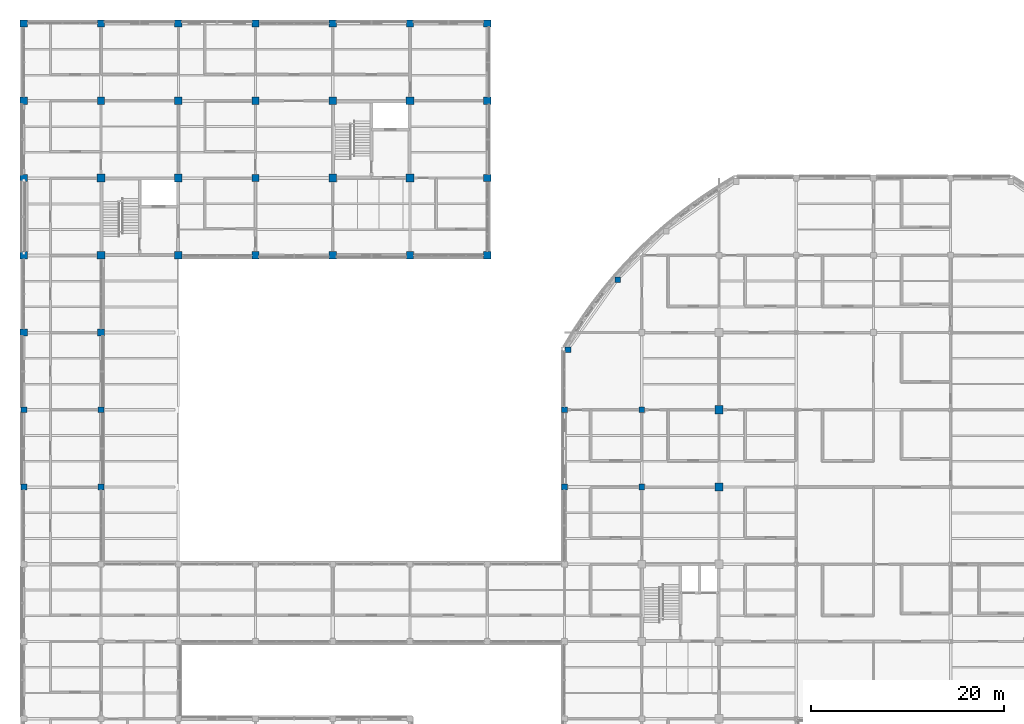
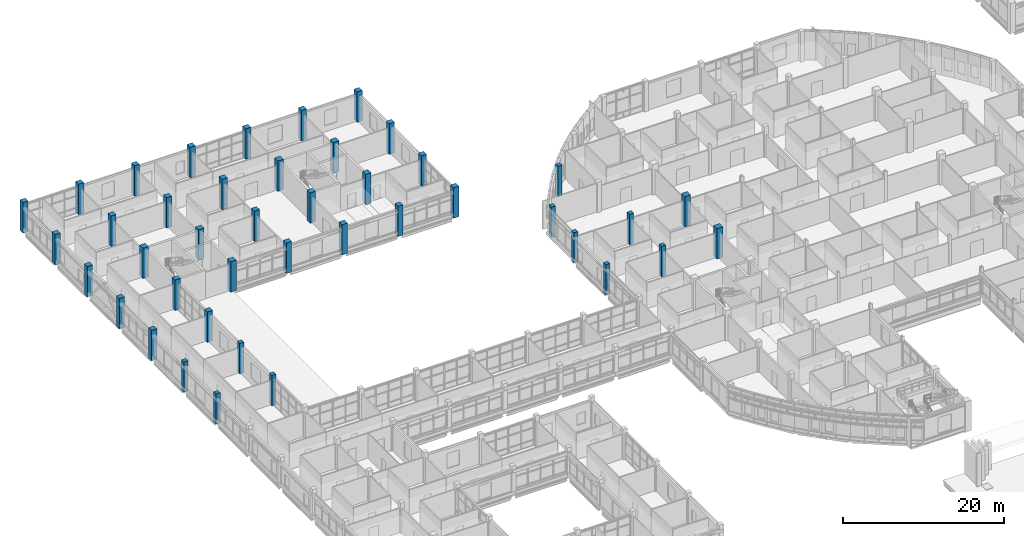
# One storey, part 5 of 121: 42 columns.
"""IFC4 building model written with IfcOpenShell, lengths in metres."""

from ifc_helpers import new_model, si_unit, derived_unit, direction, frame, origin, origin_2d, place, context, subcontext, project, spatial, rectangle, extrude, material, material_profile, profile_set, type_object, element, save


model = new_model("IFC4")

# Units and contexts
model_context = context("Model", 3, precision=1e-05, world=origin(), true_north=direction((0.0, 1.0)))
body_context = subcontext(model_context, "Body", "Model", "MODEL_VIEW")
ifc_project = project(units=[si_unit("LENGTHUNIT", "METRE"), si_unit("AREAUNIT", "SQUARE_METRE"), si_unit("VOLUMEUNIT", "CUBIC_METRE"), si_unit("PLANEANGLEUNIT", "RADIAN"), si_unit("MASSUNIT", "GRAM", prefix="KILO"), derived_unit("THERMALTRANSMITTANCEUNIT", [(si_unit("MASSUNIT", "GRAM", prefix="KILO"), 1), (si_unit("TIMEUNIT", "SECOND"), -3), (si_unit("THERMODYNAMICTEMPERATUREUNIT", "KELVIN"), -1)])], contexts=[model_context])

# Site, building, storey
site_placement = place(None, origin())
site = spatial("IfcSite", under=ifc_project, at=site_placement, CompositionType="ELEMENT")
building_placement = place(site_placement, origin())
building = spatial("IfcBuilding", under=site, at=building_placement, Name="Veyamyaing Civic Hall", CompositionType="ELEMENT")
storey_placement = place(building_placement, frame((0.0, 0.0, 5.280029296875)))
storey = spatial("IfcBuildingStorey", under=building, at=storey_placement, Name="L01", CompositionType="ELEMENT", Elevation=5.280029296875)

# Columns
ifc_material = material(Name="Concrete C45/55", Category="concrete")
ifc_material_profile_1 = material_profile(ifc_material, rectangle(XDim=0.85009765625, YDim=0.85009765625, at=origin_2d()), Name="RC-COL-850X850")
ifc_profile_set_1 = profile_set([ifc_material_profile_1], Name="Concrete C45/55")
column_type_1 = type_object("IfcColumnType", Name="C-01", PredefinedType="COLUMN", material=ifc_profile_set_1)
for number, where, z_axis, x_axis, name in (
    (1, (72.0, 64.0, 0.0), (0.0, 0.0, 1.0), (1.0, 0.0, 0.0), "Column C-01 10-J L01"),
    (2, (72.0, 72.0, 0.0), (0.0, 0.0, 1.0), (1.0, 0.0, 0.0), "Column C-01 10-K L01"),
):
    element("IfcColumn", number, at=place(storey_placement, frame(where, z_axis=z_axis, x_axis=x_axis)), inside=storey, type_object=column_type_1, Name=name, PredefinedType="COLUMN", context=body_context, shape_type="SweptSolid", body=[
        extrude(rectangle(XDim=0.85009765625, YDim=0.85009765625, at=origin_2d()), origin(), (0.0, 0.0, 1.0), 4.619873046875),
    ])
ifc_material_profile_2 = material_profile(ifc_material, rectangle(XDim=0.800048828125, YDim=0.800048828125, at=origin_2d()), Name="RC-COL-800X800")
ifc_profile_set_2 = profile_set([ifc_material_profile_2], Name="Concrete C45/55")
column_type_2 = type_object("IfcColumnType", Name="C-02", PredefinedType="COLUMN", material=ifc_profile_set_2)
for number, where, z_axis, x_axis, name in (
    (3, (8.0, 88.0, 0.0), (0.0, 0.0, 1.0), (1.0, 0.0, 0.0), "Column C-02 2-M L01"),
    (4, (8.0, 96.0, 0.0), (0.0, 0.0, 1.0), (1.0, 0.0, 0.0), "Column C-02 2-N L01"),
    (5, (16.0, 88.0, 0.0), (0.0, 0.0, 1.0), (1.0, 0.0, 0.0), "Column C-02 3-M L01"),
    (6, (16.0, 96.0, 0.0), (0.0, 0.0, 1.0), (1.0, 0.0, 0.0), "Column C-02 3-N L01"),
    (7, (32.0, 96.0, 0.0), (0.0, 0.0, 1.0), (1.0, 0.0, 0.0), "Column C-02 5-N L01"),
    (8, (32.0, 104.0, 0.0), (0.0, 0.0, 1.0), (1.0, 0.0, 0.0), "Column C-02 5-P L01"),
    (9, (40.0, 96.0, 0.0), (0.0, 0.0, 1.0), (1.0, 0.0, 0.0), "Column C-02 6-N L01"),
    (10, (40.0, 104.0, 0.0), (0.0, 0.0, 1.0), (1.0, 0.0, 0.0), "Column C-02 6-P L01"),
):
    element("IfcColumn", number, at=place(storey_placement, frame(where, z_axis=z_axis, x_axis=x_axis)), inside=storey, type_object=column_type_2, Name=name, PredefinedType="COLUMN", context=body_context, shape_type="SweptSolid", body=[
        extrude(rectangle(XDim=0.800048828125, YDim=0.800048828125, at=origin_2d()), origin(), (0.0, 0.0, 1.0), 4.619873046875),
    ])
ifc_material_profile_3 = material_profile(ifc_material, rectangle(XDim=0.75, YDim=0.75, at=origin_2d()), Name="RC-COL-750X750")
ifc_profile_set_3 = profile_set([ifc_material_profile_3], Name="Concrete C45/55")
column_type_3 = type_object("IfcColumnType", Name="C-03", PredefinedType="COLUMN", material=ifc_profile_set_3)
for number, where, z_axis, x_axis, name in (
    (11, (0.0, 80.0, 0.0), (0.0, 0.0, 1.0), (1.0, 0.0, 0.0), "Column C-03 1-L L01"),
    (12, (0.0, 88.0, 0.0), (0.0, 0.0, 1.0), (1.0, 0.0, 0.0), "Column C-03 1-M L01"),
    (13, (0.0, 96.0, 0.0), (0.0, 0.0, 1.0), (1.0, 0.0, 0.0), "Column C-03 1-N L01"),
    (14, (0.0, 104.0, 0.0), (0.0, 0.0, 1.0), (1.0, 0.0, 0.0), "Column C-03 1-P L01"),
    (15, (0.0, 112.0, 0.0), (0.0, 0.0, 1.0), (1.0, 0.0, 0.0), "Column C-03 1-Q L01"),
    (16, (8.0, 80.0, 0.0), (0.0, 0.0, 1.0), (1.0, 0.0, 0.0), "Column C-03 2-L L01"),
    (17, (8.0, 104.0, 0.0), (0.0, 0.0, 1.0), (1.0, 0.0, 0.0), "Column C-03 2-P L01"),
    (18, (8.0, 112.0, 0.0), (0.0, 0.0, 1.0), (1.0, 0.0, 0.0), "Column C-03 2-Q L01"),
    (19, (16.0, 104.0, 0.0), (0.0, 0.0, 1.0), (1.0, 0.0, 0.0), "Column C-03 3-P L01"),
    (20, (16.0, 112.0, 0.0), (0.0, 0.0, 1.0), (1.0, 0.0, 0.0), "Column C-03 3-Q L01"),
    (21, (24.0, 88.0, 0.0), (0.0, 0.0, 1.0), (1.0, 0.0, 0.0), "Column C-03 4-M L01"),
    (22, (24.0, 96.0, 0.0), (0.0, 0.0, 1.0), (1.0, 0.0, 0.0), "Column C-03 4-N L01"),
    (23, (24.0, 104.0, 0.0), (0.0, 0.0, 1.0), (1.0, 0.0, 0.0), "Column C-03 4-P L01"),
    (24, (24.0, 112.0, 0.0), (0.0, 0.0, 1.0), (1.0, 0.0, 0.0), "Column C-03 4-Q L01"),
    (25, (32.0, 88.0, 0.0), (0.0, 0.0, 1.0), (1.0, 0.0, 0.0), "Column C-03 5-M L01"),
    (26, (32.0, 112.0, 0.0), (0.0, 0.0, 1.0), (1.0, 0.0, 0.0), "Column C-03 5-Q L01"),
    (27, (40.0, 88.0, 0.0), (0.0, 0.0, 1.0), (1.0, 0.0, 0.0), "Column C-03 6-M L01"),
    (28, (40.0, 112.0, 0.0), (0.0, 0.0, 1.0), (1.0, 0.0, 0.0), "Column C-03 6-Q L01"),
    (29, (48.0, 88.0, 0.0), (0.0, 0.0, 1.0), (1.0, 0.0, 0.0), "Column C-03 7-M L01"),
    (30, (48.0, 96.0, 0.0), (0.0, 0.0, 1.0), (1.0, 0.0, 0.0), "Column C-03 7-N L01"),
    (31, (48.0, 104.0, 0.0), (0.0, 0.0, 1.0), (1.0, 0.0, 0.0), "Column C-03 7-P L01"),
    (32, (48.0, 112.0, 0.0), (0.0, 0.0, 1.0), (1.0, 0.0, 0.0), "Column C-03 7-Q L01"),
):
    element("IfcColumn", number, at=place(storey_placement, frame(where, z_axis=z_axis, x_axis=x_axis)), inside=storey, type_object=column_type_3, Name=name, PredefinedType="COLUMN", context=body_context, shape_type="SweptSolid", body=[
        extrude(rectangle(XDim=0.75, YDim=0.75, at=origin_2d()), origin(), (0.0, 0.0, 1.0), 4.619873046875),
    ])
ifc_material_profile_4 = material_profile(ifc_material, rectangle(XDim=0.60009765625, YDim=0.60009765625, at=origin_2d()), Name="RC-COL-600X600")
ifc_profile_set_4 = profile_set([ifc_material_profile_4], Name="Concrete C45/55")
column_type_4 = type_object("IfcColumnType", Name="C-06", PredefinedType="COLUMN", material=ifc_profile_set_4)
for number, where, z_axis, x_axis, name in (
    (33, (0.0, 64.0, 0.0), (0.0, 0.0, 1.0), (1.0, 0.0, 0.0), "Column C-06 1-J L01"),
    (34, (0.0, 72.0, 0.0), (0.0, 0.0, 1.0), (1.0, 0.0, 0.0), "Column C-06 1-K L01"),
    (35, (8.0, 64.0, 0.0), (0.0, 0.0, 1.0), (1.0, 0.0, 0.0), "Column C-06 2-J L01"),
    (36, (8.0, 72.0, 0.0), (0.0, 0.0, 1.0), (1.0, 0.0, 0.0), "Column C-06 2-K L01"),
    (37, (56.0, 64.0, 0.0), (0.0, 0.0, 1.0), (1.0, 0.0, 0.0), "Column C-06 8-J L01"),
    (38, (56.0, 72.0, 0.0), (0.0, 0.0, 1.0), (1.0, 0.0, 0.0), "Column C-06 8-K L01"),
    (39, (64.0, 64.0, 0.0), (0.0, 0.0, 1.0), (1.0, 0.0, 0.0), "Column C-06 9-J L01"),
    (40, (64.0, 72.0, 0.0), (0.0, 0.0, 1.0), (1.0, 0.0, 0.0), "Column C-06 9-K L01"),
    (41, (61.5048828125, 85.466552734375, 0.0), (0.0, 0.0, 1.0), (1.0, 0.0, 0.0), "Curved corner column C-06 ARC-NW-09 L01"),
    (42, (56.36376953125, 78.220703125, 0.0), (0.0, 0.0, 1.0), (1.0, 0.0, 0.0), "Curved corner column C-06 ARC-NW-14 L01"),
):
    element("IfcColumn", number, at=place(storey_placement, frame(where, z_axis=z_axis, x_axis=x_axis)), inside=storey, type_object=column_type_4, Name=name, PredefinedType="COLUMN", context=body_context, shape_type="SweptSolid", body=[
        extrude(rectangle(XDim=0.60009765625, YDim=0.60009765625, at=origin_2d()), origin(), (0.0, 0.0, 1.0), 4.619873046875),
    ])

save(model, "model.ifc")
